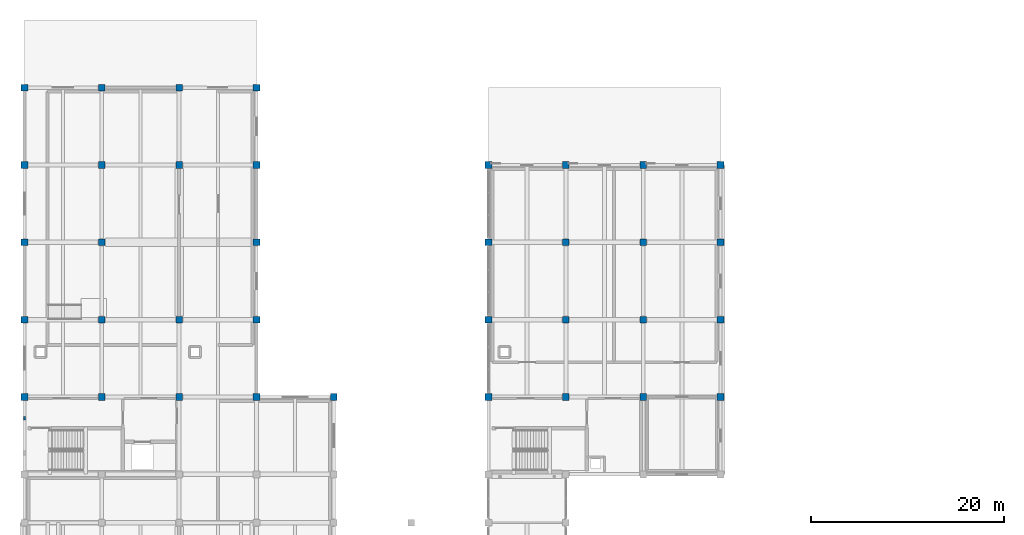
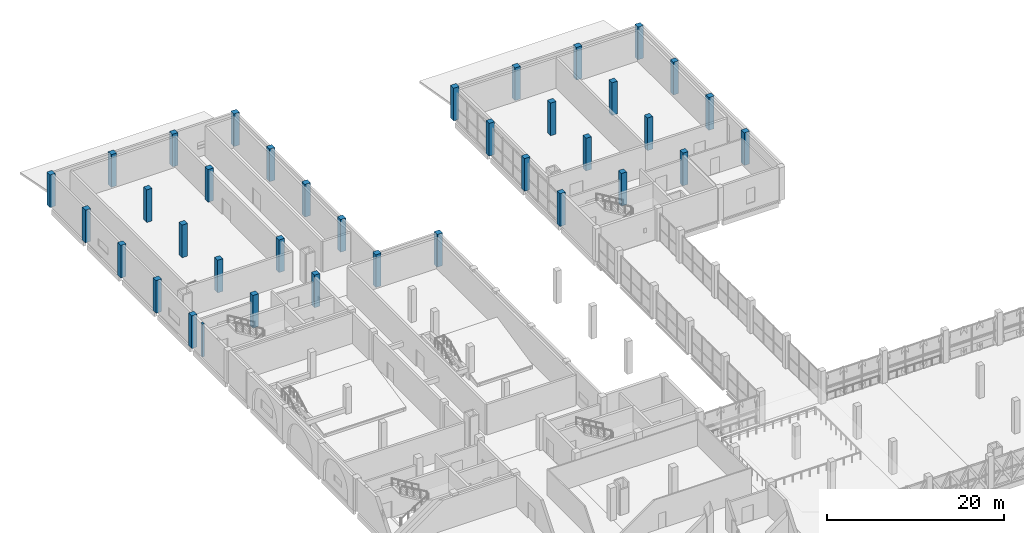
# One storey, part 3 of 45: 37 columns.
"""IFC4 building model written with IfcOpenShell, lengths in metres."""

from ifc_helpers import new_model, si_unit, direction, frame, origin, origin_2d, place, context, subcontext, project, spatial, rectangle, extrude, material, material_profile, profile_set, type_object, element, save


model = new_model("IFC4")

# Units and contexts
model_context = context("Model", 3, precision=1e-05, world=origin(), true_north=direction((0.0, 1.0)))
body_context = subcontext(model_context, "Body", "Model", "MODEL_VIEW")
ifc_project = project(units=[si_unit("LENGTHUNIT", "METRE"), si_unit("AREAUNIT", "SQUARE_METRE"), si_unit("VOLUMEUNIT", "CUBIC_METRE"), si_unit("PLANEANGLEUNIT", "RADIAN"), si_unit("MASSUNIT", "GRAM", prefix="KILO")], contexts=[model_context])

# Site, building, storey
site_placement = place(None, origin())
site = spatial("IfcSite", under=ifc_project, at=site_placement, CompositionType="ELEMENT")
building_placement = place(site_placement, origin())
building = spatial("IfcBuilding", under=site, at=building_placement, Name="Qorikala Patio Media Centre", CompositionType="ELEMENT")
storey_placement = place(building_placement, frame((0.0, 0.0, 9.89990234375)))
storey = spatial("IfcBuildingStorey", under=building, at=storey_placement, Name="L02", CompositionType="ELEMENT", Elevation=9.89990234375)

# Columns
ifc_material_1 = material(Name="Comanche Granite and Concrete C35/45", Category="masonry")
ifc_material_profile_1 = material_profile(ifc_material_1, rectangle(XDim=0.3798828125, YDim=0.239990234375, at=origin_2d()), Name="PIL 380x240")
ifc_profile_set_1 = profile_set([ifc_material_profile_1], Name="Comanche Granite and Concrete C35/45")
column_type_1 = type_object("IfcColumnType", Name="PIL-380X240", PredefinedType="PILASTER", material=ifc_profile_set_1)
column_placement = place(storey_placement, frame((3.0, 69.800048828125, 0.0), z_axis=(0.0, 0.0, 1.0), x_axis=(0.0, 1.0, 0.0)))
element("IfcColumn", 1, at=column_placement, inside=storey, type_object=column_type_1, Name="L02 West Street Core Pilaster 008", PredefinedType="PILASTER", context=body_context, shape_type="SweptSolid", body=[
    extrude(rectangle(XDim=0.3798828125, YDim=0.239990234375, at=origin_2d()), origin(), (0.0, 0.0, 1.0), 4.5),
])
ifc_material_2 = material(Name="Concrete C35/45", Category="concrete")
ifc_material_profile_2 = material_profile(ifc_material_2, rectangle(XDim=0.699951171875, YDim=0.699951171875, at=origin_2d()), Name="RC 700x700")
ifc_profile_set_2 = profile_set([ifc_material_profile_2], Name="Concrete C35/45")
column_type_2 = type_object("IfcColumnType", Name="RC-COL-700-EXT", PredefinedType="COLUMN", material=ifc_profile_set_2)
for number, where, z_axis, x_axis, name in (
    (2, (3.0, 72.0, 0.0), (0.0, 0.0, 1.0), (1.0, 0.0, 0.0), "L02 Column (3,72)"),
    (3, (3.0, 80.0, 0.0), (0.0, 0.0, 1.0), (1.0, 0.0, 0.0), "L02 Column (3,80)"),
    (4, (3.0, 88.0, 0.0), (0.0, 0.0, 1.0), (1.0, 0.0, 0.0), "L02 Column (3,88)"),
    (5, (3.0, 96.0, 0.0), (0.0, 0.0, 1.0), (1.0, 0.0, 0.0), "L02 Column (3,96)"),
    (6, (3.0, 104.0, 0.0), (0.0, 0.0, 1.0), (1.0, 0.0, 0.0), "L02 Column (3,104)"),
    (7, (11.0, 104.0, 0.0), (0.0, 0.0, 1.0), (1.0, 0.0, 0.0), "L02 Column (11,104)"),
    (8, (19.0, 104.0, 0.0), (0.0, 0.0, 1.0), (1.0, 0.0, 0.0), "L02 Column (19,104)"),
    (9, (27.0, 72.0, 0.0), (0.0, 0.0, 1.0), (1.0, 0.0, 0.0), "L02 Column (27,72)"),
    (10, (27.0, 80.0, 0.0), (0.0, 0.0, 1.0), (1.0, 0.0, 0.0), "L02 Column (27,80)"),
    (11, (27.0, 88.0, 0.0), (0.0, 0.0, 1.0), (1.0, 0.0, 0.0), "L02 Column (27,88)"),
    (12, (27.0, 96.0, 0.0), (0.0, 0.0, 1.0), (1.0, 0.0, 0.0), "L02 Column (27,96)"),
    (13, (27.0, 104.0, 0.0), (0.0, 0.0, 1.0), (1.0, 0.0, 0.0), "L02 Column (27,104)"),
    (14, (35.0, 72.0, 0.0), (0.0, 0.0, 1.0), (1.0, 0.0, 0.0), "L02 Column (35,72)"),
    (15, (51.0, 72.0, 0.0), (0.0, 0.0, 1.0), (1.0, 0.0, 0.0), "L02 Column (51,72)"),
    (16, (51.0, 80.0, 0.0), (0.0, 0.0, 1.0), (1.0, 0.0, 0.0), "L02 Column (51,80)"),
    (17, (51.0, 88.0, 0.0), (0.0, 0.0, 1.0), (1.0, 0.0, 0.0), "L02 Column (51,88)"),
    (18, (51.0, 96.0, 0.0), (0.0, 0.0, 1.0), (1.0, 0.0, 0.0), "L02 Column (51,96)"),
    (19, (59.0, 96.0, 0.0), (0.0, 0.0, 1.0), (1.0, 0.0, 0.0), "L02 Column (59,96)"),
    (20, (67.0, 96.0, 0.0), (0.0, 0.0, 1.0), (1.0, 0.0, 0.0), "L02 Column (67,96)"),
    (21, (75.0, 72.0, 0.0), (0.0, 0.0, 1.0), (1.0, 0.0, 0.0), "L02 Column (75,72)"),
    (22, (75.0, 80.0, 0.0), (0.0, 0.0, 1.0), (1.0, 0.0, 0.0), "L02 Column (75,80)"),
    (23, (75.0, 88.0, 0.0), (0.0, 0.0, 1.0), (1.0, 0.0, 0.0), "L02 Column (75,88)"),
    (24, (75.0, 96.0, 0.0), (0.0, 0.0, 1.0), (1.0, 0.0, 0.0), "L02 Column (75,96)"),
):
    element("IfcColumn", number, at=place(storey_placement, frame(where, z_axis=z_axis, x_axis=x_axis)), inside=storey, type_object=column_type_2, Name=name, PredefinedType="COLUMN", context=body_context, shape_type="SweptSolid", body=[
        extrude(rectangle(XDim=0.699951171875, YDim=0.699951171875, at=origin_2d()), origin(), (0.0, 0.0, 1.0), 4.5),
    ])
ifc_material_profile_3 = material_profile(ifc_material_2, rectangle(XDim=0.699951171875, YDim=0.699951171875, at=origin_2d()), Name="RC 700x700")
ifc_profile_set_3 = profile_set([ifc_material_profile_3], Name="Concrete C35/45")
column_type_3 = type_object("IfcColumnType", Name="RC-COL-700-INT", PredefinedType="COLUMN", material=ifc_profile_set_3)
for number, where, z_axis, x_axis, name in (
    (25, (11.0, 72.0, 0.0), (0.0, 0.0, 1.0), (1.0, 0.0, 0.0), "L02 Column (11,72)"),
    (26, (11.0, 80.0, 0.0), (0.0, 0.0, 1.0), (1.0, 0.0, 0.0), "L02 Column (11,80)"),
    (27, (11.0, 88.0, 0.0), (0.0, 0.0, 1.0), (1.0, 0.0, 0.0), "L02 Column (11,88)"),
    (28, (11.0, 96.0, 0.0), (0.0, 0.0, 1.0), (1.0, 0.0, 0.0), "L02 Column (11,96)"),
    (29, (19.0, 72.0, 0.0), (0.0, 0.0, 1.0), (1.0, 0.0, 0.0), "L02 Column (19,72)"),
    (30, (19.0, 80.0, 0.0), (0.0, 0.0, 1.0), (1.0, 0.0, 0.0), "L02 Column (19,80)"),
    (31, (19.0, 96.0, 0.0), (0.0, 0.0, 1.0), (1.0, 0.0, 0.0), "L02 Column (19,96)"),
    (32, (59.0, 72.0, 0.0), (0.0, 0.0, 1.0), (1.0, 0.0, 0.0), "L02 Column (59,72)"),
    (33, (59.0, 80.0, 0.0), (0.0, 0.0, 1.0), (1.0, 0.0, 0.0), "L02 Column (59,80)"),
    (34, (59.0, 88.0, 0.0), (0.0, 0.0, 1.0), (1.0, 0.0, 0.0), "L02 Column (59,88)"),
    (35, (67.0, 72.0, 0.0), (0.0, 0.0, 1.0), (1.0, 0.0, 0.0), "L02 Column (67,72)"),
    (36, (67.0, 80.0, 0.0), (0.0, 0.0, 1.0), (1.0, 0.0, 0.0), "L02 Column (67,80)"),
    (37, (67.0, 88.0, 0.0), (0.0, 0.0, 1.0), (1.0, 0.0, 0.0), "L02 Column (67,88)"),
):
    element("IfcColumn", number, at=place(storey_placement, frame(where, z_axis=z_axis, x_axis=x_axis)), inside=storey, type_object=column_type_3, Name=name, PredefinedType="COLUMN", context=body_context, shape_type="SweptSolid", body=[
        extrude(rectangle(XDim=0.699951171875, YDim=0.699951171875, at=origin_2d()), origin(), (0.0, 0.0, 1.0), 4.5),
    ])

save(model, "model.ifc")
